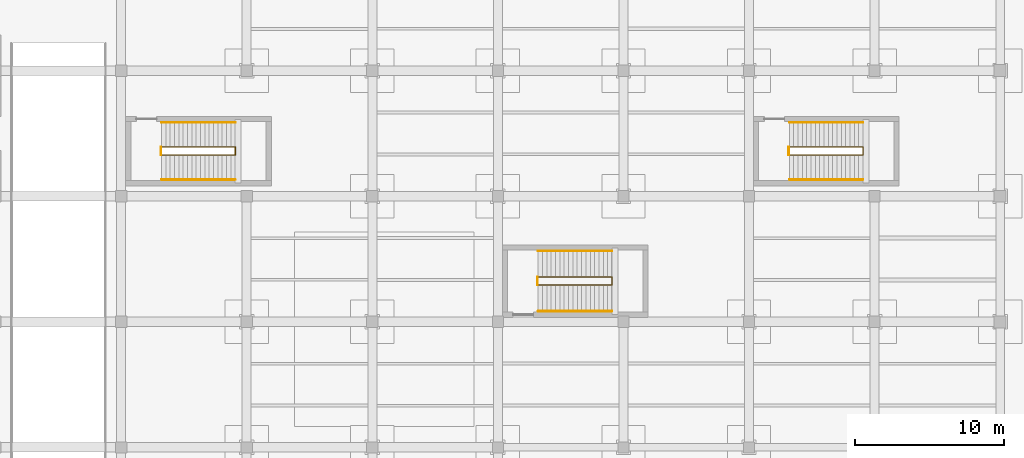
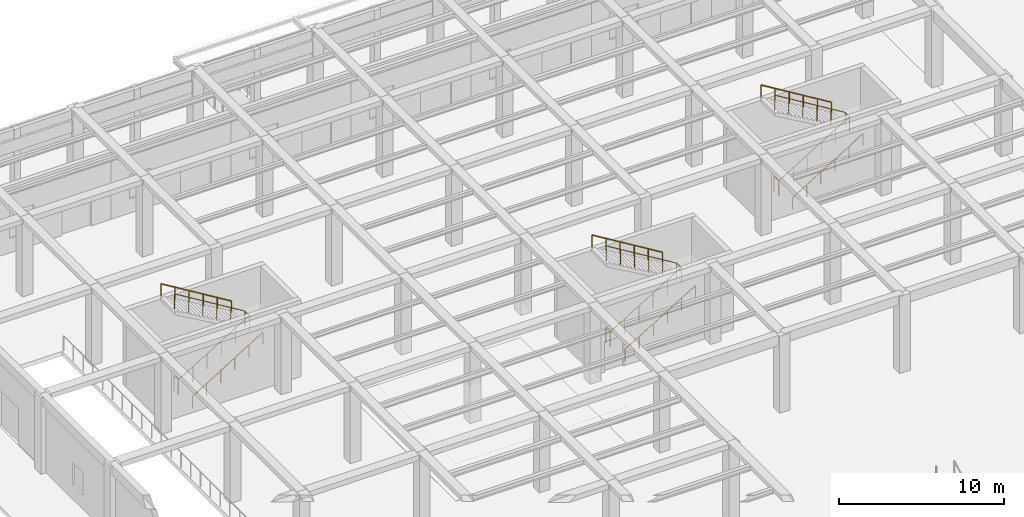
# One storey, part 37 of 43: 12 railings.
"""IFC4 building model written with IfcOpenShell, lengths in metres."""

from ifc_helpers import new_model, si_unit, direction, frame, origin, origin_2d, place, context, subcontext, project, spatial, circle, extrude, material, type_object, element, save


model = new_model("IFC4")

# Units and contexts
model_context = context("Model", 3, precision=1e-05, world=origin(), true_north=direction((0.0, 1.0)))
body_context = subcontext(model_context, "Body", "Model", "MODEL_VIEW")
ifc_project = project(units=[si_unit("LENGTHUNIT", "METRE"), si_unit("AREAUNIT", "SQUARE_METRE"), si_unit("VOLUMEUNIT", "CUBIC_METRE"), si_unit("PLANEANGLEUNIT", "RADIAN"), si_unit("MASSUNIT", "GRAM", prefix="KILO")], contexts=[model_context])

# Site, building, storey
site_placement = place(None, origin())
site = spatial("IfcSite", under=ifc_project, at=site_placement, CompositionType="ELEMENT")
building_placement = place(site_placement, origin())
building = spatial("IfcBuilding", under=site, at=building_placement, Name="Almacenes y Pasaje Nevantli", CompositionType="ELEMENT")
storey_placement = place(building_placement, origin())
storey = spatial("IfcBuildingStorey", under=building, at=storey_placement, Name="L01", CompositionType="ELEMENT", Elevation=0.0)

# Railings
ifc_material_1 = material(Name="Brushed Stainless Steel and Tempered Safety Glass", Category="steel")
railing_type_1 = type_object("IfcRailingType", Name="RL-GUARD-1100", PredefinedType="BALUSTRADE", material=ifc_material_1)
railing_1_placement = place(storey_placement, frame((11.10009765625, 95.159912109375, 0.0)))
element("IfcRailing", 1, at=railing_1_placement, inside=storey, type_object=railing_type_1, Name="L01 Stair ST-03 Inner Well Guard Balustrade", PredefinedType="BALUSTRADE", context=body_context, shape_type="SweptSolid", body=[
    extrude(circle(Radius=0.02392578125, at=origin_2d()), frame((0.025634765625, 0.0, 1.141357421875), z_axis=(0.854262269089, 0.0, 0.519842260316), x_axis=(0.0, 1.0, 0.0)), (0.0, 0.0, 1.0), 5.7109375),
    extrude(circle(Radius=0.02392578125, at=origin_2d()), frame((4.929931640625, 0.030029296875, 4.1259765625), z_axis=(0.0, 1.0, 0.0), x_axis=(-1.0, 0.0, 0.0)), (0.0, 0.0, 1.0), 0.469970703125),
    extrude(circle(Radius=0.02392578125, at=origin_2d()), frame((4.904296875, 0.530029296875, 4.141357421875), z_axis=(-0.854262269089, 0.0, 0.519842260316), x_axis=(0.0, -1.0, 0.0)), (0.0, 0.0, 1.0), 5.7109375),
    extrude(circle(Radius=0.02099609375, at=origin_2d()), origin(), (0.0, 0.0, 1.0), 1.096923828125),
    extrude(circle(Radius=0.02099609375, at=origin_2d()), frame((0.986083984375, 0.0, 0.60009765625)), (0.0, 0.0, 1.0), 1.096923828125),
    extrude(circle(Radius=0.02099609375, at=origin_2d()), frame((1.971923828125, 0.0, 1.199951171875)), (0.0, 0.0, 1.0), 1.096923828125),
    extrude(circle(Radius=0.02099609375, at=origin_2d()), frame((2.9580078125, 0.0, 1.800048828125)), (0.0, 0.0, 1.0), 1.096923828125),
    extrude(circle(Radius=0.02099609375, at=origin_2d()), frame((3.94384765625, 0.0, 2.39990234375)), (0.0, 0.0, 1.0), 1.096923828125),
    extrude(circle(Radius=0.02099609375, at=origin_2d()), frame((4.929931640625, 0.0, 3.0)), (0.0, 0.0, 1.0), 1.096923828125),
    extrude(circle(Radius=0.02099609375, at=origin_2d()), frame((4.929931640625, 0.530029296875, 3.0)), (0.0, 0.0, 1.0), 1.096923828125),
    extrude(circle(Radius=0.02099609375, at=origin_2d()), frame((3.94384765625, 0.530029296875, 3.60009765625)), (0.0, 0.0, 1.0), 1.096923828125),
    extrude(circle(Radius=0.02099609375, at=origin_2d()), frame((2.9580078125, 0.530029296875, 4.199951171875)), (0.0, 0.0, 1.0), 1.096923828125),
    extrude(circle(Radius=0.02099609375, at=origin_2d()), frame((1.971923828125, 0.530029296875, 4.800048828125)), (0.0, 0.0, 1.0), 1.096923828125),
    extrude(circle(Radius=0.02099609375, at=origin_2d()), frame((0.986083984375, 0.530029296875, 5.39990234375)), (0.0, 0.0, 1.0), 1.096923828125),
    extrude(circle(Radius=0.02099609375, at=origin_2d()), frame((0.0, 0.530029296875, 6.0)), (0.0, 0.0, 1.0), 1.096923828125),
])
railing_2_placement = place(storey_placement, frame((11.06005859375, 95.159912109375, 0.0)))
element("IfcRailing", 2, at=railing_2_placement, inside=storey, type_object=railing_type_1, Name="L01 Stair ST-03 Landing Well Slot Guard", PredefinedType="BALUSTRADE", context=body_context, shape_type="SweptSolid", body=[
    extrude(circle(Radius=0.02392578125, at=origin_2d()), frame((0.0, 0.030029296875, 1.1259765625), z_axis=(0.0, 1.0, 0.0), x_axis=(-1.0, 0.0, 0.0)), (0.0, 0.0, 1.0), 0.469970703125),
    extrude(circle(Radius=0.02099609375, at=origin_2d()), origin(), (0.0, 0.0, 1.0), 1.096923828125),
    extrude(circle(Radius=0.02099609375, at=origin_2d()), frame((0.0, 0.530029296875, 0.0)), (0.0, 0.0, 1.0), 1.096923828125),
])
railing_3_placement = place(storey_placement, frame((53.10009765625, 95.159912109375, 0.0)))
element("IfcRailing", 3, at=railing_3_placement, inside=storey, type_object=railing_type_1, Name="L01 Stair ST-05 Inner Well Guard Balustrade", PredefinedType="BALUSTRADE", context=body_context, shape_type="SweptSolid", body=[
    extrude(circle(Radius=0.02392578125, at=origin_2d()), frame((0.025634765625, 0.0, 1.141357421875), z_axis=(0.854262269089, 0.0, 0.519842260316), x_axis=(0.0, 1.0, 0.0)), (0.0, 0.0, 1.0), 5.7109375),
    extrude(circle(Radius=0.02392578125, at=origin_2d()), frame((4.929931640625, 0.030029296875, 4.1259765625), z_axis=(0.0, 1.0, 0.0), x_axis=(-1.0, 0.0, 0.0)), (0.0, 0.0, 1.0), 0.469970703125),
    extrude(circle(Radius=0.02392578125, at=origin_2d()), frame((4.904296875, 0.530029296875, 4.141357421875), z_axis=(-0.854262269089, 0.0, 0.519842260316), x_axis=(0.0, -1.0, 0.0)), (0.0, 0.0, 1.0), 5.7109375),
    extrude(circle(Radius=0.02099609375, at=origin_2d()), origin(), (0.0, 0.0, 1.0), 1.096923828125),
    extrude(circle(Radius=0.02099609375, at=origin_2d()), frame((0.986083984375, 0.0, 0.60009765625)), (0.0, 0.0, 1.0), 1.096923828125),
    extrude(circle(Radius=0.02099609375, at=origin_2d()), frame((1.971923828125, 0.0, 1.199951171875)), (0.0, 0.0, 1.0), 1.096923828125),
    extrude(circle(Radius=0.02099609375, at=origin_2d()), frame((2.9580078125, 0.0, 1.800048828125)), (0.0, 0.0, 1.0), 1.096923828125),
    extrude(circle(Radius=0.02099609375, at=origin_2d()), frame((3.94384765625, 0.0, 2.39990234375)), (0.0, 0.0, 1.0), 1.096923828125),
    extrude(circle(Radius=0.02099609375, at=origin_2d()), frame((4.929931640625, 0.0, 3.0)), (0.0, 0.0, 1.0), 1.096923828125),
    extrude(circle(Radius=0.02099609375, at=origin_2d()), frame((4.929931640625, 0.530029296875, 3.0)), (0.0, 0.0, 1.0), 1.096923828125),
    extrude(circle(Radius=0.02099609375, at=origin_2d()), frame((3.94384765625, 0.530029296875, 3.60009765625)), (0.0, 0.0, 1.0), 1.096923828125),
    extrude(circle(Radius=0.02099609375, at=origin_2d()), frame((2.9580078125, 0.530029296875, 4.199951171875)), (0.0, 0.0, 1.0), 1.096923828125),
    extrude(circle(Radius=0.02099609375, at=origin_2d()), frame((1.971923828125, 0.530029296875, 4.800048828125)), (0.0, 0.0, 1.0), 1.096923828125),
    extrude(circle(Radius=0.02099609375, at=origin_2d()), frame((0.986083984375, 0.530029296875, 5.39990234375)), (0.0, 0.0, 1.0), 1.096923828125),
    extrude(circle(Radius=0.02099609375, at=origin_2d()), frame((0.0, 0.530029296875, 6.0)), (0.0, 0.0, 1.0), 1.096923828125),
])
railing_4_placement = place(storey_placement, frame((53.06005859375, 95.159912109375, 0.0)))
element("IfcRailing", 4, at=railing_4_placement, inside=storey, type_object=railing_type_1, Name="L01 Stair ST-05 Landing Well Slot Guard", PredefinedType="BALUSTRADE", context=body_context, shape_type="SweptSolid", body=[
    extrude(circle(Radius=0.02392578125, at=origin_2d()), frame((0.0, 0.030029296875, 1.1259765625), z_axis=(0.0, 1.0, 0.0), x_axis=(-1.0, 0.0, 0.0)), (0.0, 0.0, 1.0), 0.469970703125),
    extrude(circle(Radius=0.02099609375, at=origin_2d()), origin(), (0.0, 0.0, 1.0), 1.096923828125),
    extrude(circle(Radius=0.02099609375, at=origin_2d()), frame((0.0, 0.530029296875, 0.0)), (0.0, 0.0, 1.0), 1.096923828125),
])
railing_5_placement = place(storey_placement, frame((36.300048828125, 86.4599609375, 0.0)))
element("IfcRailing", 5, at=railing_5_placement, inside=storey, type_object=railing_type_1, Name="L01 Stair ST-15 Inner Well Guard Balustrade", PredefinedType="BALUSTRADE", context=body_context, shape_type="SweptSolid", body=[
    extrude(circle(Radius=0.02392578125, at=origin_2d()), frame((0.025634765625, 0.0, 1.141357421875), z_axis=(0.854262269089, 0.0, 0.519842260316), x_axis=(0.0, 1.0, 0.0)), (0.0, 0.0, 1.0), 5.7109375),
    extrude(circle(Radius=0.02392578125, at=origin_2d()), frame((4.929931640625, 0.030029296875, 4.1259765625), z_axis=(0.0, 1.0, 0.0), x_axis=(-1.0, 0.0, 0.0)), (0.0, 0.0, 1.0), 0.469970703125),
    extrude(circle(Radius=0.02392578125, at=origin_2d()), frame((4.904296875, 0.530029296875, 4.141357421875), z_axis=(-0.854262269089, 0.0, 0.519842260316), x_axis=(0.0, -1.0, 0.0)), (0.0, 0.0, 1.0), 5.7109375),
    extrude(circle(Radius=0.02099609375, at=origin_2d()), origin(), (0.0, 0.0, 1.0), 1.096923828125),
    extrude(circle(Radius=0.02099609375, at=origin_2d()), frame((0.986083984375, 0.0, 0.60009765625)), (0.0, 0.0, 1.0), 1.096923828125),
    extrude(circle(Radius=0.02099609375, at=origin_2d()), frame((1.971923828125, 0.0, 1.199951171875)), (0.0, 0.0, 1.0), 1.096923828125),
    extrude(circle(Radius=0.02099609375, at=origin_2d()), frame((2.9580078125, 0.0, 1.800048828125)), (0.0, 0.0, 1.0), 1.096923828125),
    extrude(circle(Radius=0.02099609375, at=origin_2d()), frame((3.94384765625, 0.0, 2.39990234375)), (0.0, 0.0, 1.0), 1.096923828125),
    extrude(circle(Radius=0.02099609375, at=origin_2d()), frame((4.929931640625, 0.0, 3.0)), (0.0, 0.0, 1.0), 1.096923828125),
    extrude(circle(Radius=0.02099609375, at=origin_2d()), frame((4.929931640625, 0.530029296875, 3.0)), (0.0, 0.0, 1.0), 1.096923828125),
    extrude(circle(Radius=0.02099609375, at=origin_2d()), frame((3.94384765625, 0.530029296875, 3.60009765625)), (0.0, 0.0, 1.0), 1.096923828125),
    extrude(circle(Radius=0.02099609375, at=origin_2d()), frame((2.9580078125, 0.530029296875, 4.199951171875)), (0.0, 0.0, 1.0), 1.096923828125),
    extrude(circle(Radius=0.02099609375, at=origin_2d()), frame((1.971923828125, 0.530029296875, 4.800048828125)), (0.0, 0.0, 1.0), 1.096923828125),
    extrude(circle(Radius=0.02099609375, at=origin_2d()), frame((0.986083984375, 0.530029296875, 5.39990234375)), (0.0, 0.0, 1.0), 1.096923828125),
    extrude(circle(Radius=0.02099609375, at=origin_2d()), frame((0.0, 0.530029296875, 6.0)), (0.0, 0.0, 1.0), 1.096923828125),
])
railing_6_placement = place(storey_placement, frame((36.260009765625, 86.4599609375, 0.0)))
element("IfcRailing", 6, at=railing_6_placement, inside=storey, type_object=railing_type_1, Name="L01 Stair ST-15 Landing Well Slot Guard", PredefinedType="BALUSTRADE", context=body_context, shape_type="SweptSolid", body=[
    extrude(circle(Radius=0.02392578125, at=origin_2d()), frame((0.0, 0.030029296875, 1.1259765625), z_axis=(0.0, 1.0, 0.0), x_axis=(-1.0, 0.0, 0.0)), (0.0, 0.0, 1.0), 0.469970703125),
    extrude(circle(Radius=0.02099609375, at=origin_2d()), origin(), (0.0, 0.0, 1.0), 1.096923828125),
    extrude(circle(Radius=0.02099609375, at=origin_2d()), frame((0.0, 0.530029296875, 0.0)), (0.0, 0.0, 1.0), 1.096923828125),
])
ifc_material_2 = material(Name="Brushed Stainless Steel Tube", Category="steel")
railing_type_2 = type_object("IfcRailingType", Name="RL-HANDRAIL-900", PredefinedType="HANDRAIL", material=ifc_material_2)
railing_7_placement = place(storey_placement, frame((11.10009765625, 93.510009765625, 0.0)))
element("IfcRailing", 7, at=railing_7_placement, inside=storey, type_object=railing_type_2, Name="L01 Stair ST-03 Lower Flight Handrail", PredefinedType="HANDRAIL", context=body_context, shape_type="SweptSolid", body=[
    extrude(circle(Radius=0.02392578125, at=origin_2d()), frame((0.025634765625, 0.0, 0.891357421875), z_axis=(0.854262269089, 0.0, 0.519842260316), x_axis=(0.0, 1.0, 0.0)), (0.0, 0.0, 1.0), 5.7109375),
    extrude(circle(Radius=0.02099609375, at=origin_2d()), origin(), (0.0, 0.0, 1.0), 0.846923828125),
    extrude(circle(Radius=0.02099609375, at=origin_2d()), frame((0.986083984375, 0.0, 0.60009765625)), (0.0, 0.0, 1.0), 0.846923828125),
    extrude(circle(Radius=0.02099609375, at=origin_2d()), frame((1.971923828125, 0.0, 1.199951171875)), (0.0, 0.0, 1.0), 0.846923828125),
    extrude(circle(Radius=0.02099609375, at=origin_2d()), frame((2.9580078125, 0.0, 1.800048828125)), (0.0, 0.0, 1.0), 0.846923828125),
    extrude(circle(Radius=0.02099609375, at=origin_2d()), frame((3.94384765625, 0.0, 2.39990234375)), (0.0, 0.0, 1.0), 0.846923828125),
    extrude(circle(Radius=0.02099609375, at=origin_2d()), frame((4.929931640625, 0.0, 3.0)), (0.0, 0.0, 1.0), 0.846923828125),
])
railing_8_placement = place(storey_placement, frame((16.030029296875, 97.340087890625, 3.0)))
element("IfcRailing", 8, at=railing_8_placement, inside=storey, type_object=railing_type_2, Name="L01 Stair ST-03 Upper Flight Handrail", PredefinedType="HANDRAIL", context=body_context, shape_type="SweptSolid", body=[
    extrude(circle(Radius=0.02392578125, at=origin_2d()), frame((-0.025634765625, 0.0, 0.891357421875), z_axis=(-0.854262269089, 0.0, 0.519842260316), x_axis=(0.0, -1.0, 0.0)), (0.0, 0.0, 1.0), 5.7109375),
    extrude(circle(Radius=0.02099609375, at=origin_2d()), origin(), (0.0, 0.0, 1.0), 0.846923828125),
    extrude(circle(Radius=0.02099609375, at=origin_2d()), frame((-0.986083984375, 0.0, 0.60009765625)), (0.0, 0.0, 1.0), 0.846923828125),
    extrude(circle(Radius=0.02099609375, at=origin_2d()), frame((-1.971923828125, 0.0, 1.199951171875)), (0.0, 0.0, 1.0), 0.846923828125),
    extrude(circle(Radius=0.02099609375, at=origin_2d()), frame((-2.9580078125, 0.0, 1.800048828125)), (0.0, 0.0, 1.0), 0.846923828125),
    extrude(circle(Radius=0.02099609375, at=origin_2d()), frame((-3.94384765625, 0.0, 2.39990234375)), (0.0, 0.0, 1.0), 0.846923828125),
    extrude(circle(Radius=0.02099609375, at=origin_2d()), frame((-4.929931640625, 0.0, 3.0)), (0.0, 0.0, 1.0), 0.846923828125),
])
railing_9_placement = place(storey_placement, frame((53.10009765625, 93.510009765625, 0.0)))
element("IfcRailing", 9, at=railing_9_placement, inside=storey, type_object=railing_type_2, Name="L01 Stair ST-05 Lower Flight Handrail", PredefinedType="HANDRAIL", context=body_context, shape_type="SweptSolid", body=[
    extrude(circle(Radius=0.02392578125, at=origin_2d()), frame((0.025634765625, 0.0, 0.891357421875), z_axis=(0.854262269089, 0.0, 0.519842260316), x_axis=(0.0, 1.0, 0.0)), (0.0, 0.0, 1.0), 5.7109375),
    extrude(circle(Radius=0.02099609375, at=origin_2d()), origin(), (0.0, 0.0, 1.0), 0.846923828125),
    extrude(circle(Radius=0.02099609375, at=origin_2d()), frame((0.986083984375, 0.0, 0.60009765625)), (0.0, 0.0, 1.0), 0.846923828125),
    extrude(circle(Radius=0.02099609375, at=origin_2d()), frame((1.971923828125, 0.0, 1.199951171875)), (0.0, 0.0, 1.0), 0.846923828125),
    extrude(circle(Radius=0.02099609375, at=origin_2d()), frame((2.9580078125, 0.0, 1.800048828125)), (0.0, 0.0, 1.0), 0.846923828125),
    extrude(circle(Radius=0.02099609375, at=origin_2d()), frame((3.94384765625, 0.0, 2.39990234375)), (0.0, 0.0, 1.0), 0.846923828125),
    extrude(circle(Radius=0.02099609375, at=origin_2d()), frame((4.929931640625, 0.0, 3.0)), (0.0, 0.0, 1.0), 0.846923828125),
])
railing_10_placement = place(storey_placement, frame((58.030029296875, 97.340087890625, 3.0)))
element("IfcRailing", 10, at=railing_10_placement, inside=storey, type_object=railing_type_2, Name="L01 Stair ST-05 Upper Flight Handrail", PredefinedType="HANDRAIL", context=body_context, shape_type="SweptSolid", body=[
    extrude(circle(Radius=0.02392578125, at=origin_2d()), frame((-0.025634765625, 0.0, 0.891357421875), z_axis=(-0.854262269089, 0.0, 0.519842260316), x_axis=(0.0, -1.0, 0.0)), (0.0, 0.0, 1.0), 5.7109375),
    extrude(circle(Radius=0.02099609375, at=origin_2d()), origin(), (0.0, 0.0, 1.0), 0.846923828125),
    extrude(circle(Radius=0.02099609375, at=origin_2d()), frame((-0.986083984375, 0.0, 0.60009765625)), (0.0, 0.0, 1.0), 0.846923828125),
    extrude(circle(Radius=0.02099609375, at=origin_2d()), frame((-1.971923828125, 0.0, 1.199951171875)), (0.0, 0.0, 1.0), 0.846923828125),
    extrude(circle(Radius=0.02099609375, at=origin_2d()), frame((-2.9580078125, 0.0, 1.800048828125)), (0.0, 0.0, 1.0), 0.846923828125),
    extrude(circle(Radius=0.02099609375, at=origin_2d()), frame((-3.94384765625, 0.0, 2.39990234375)), (0.0, 0.0, 1.0), 0.846923828125),
    extrude(circle(Radius=0.02099609375, at=origin_2d()), frame((-4.929931640625, 0.0, 3.0)), (0.0, 0.0, 1.0), 0.846923828125),
])
railing_11_placement = place(storey_placement, frame((36.300048828125, 84.7099609375, 0.0)))
element("IfcRailing", 11, at=railing_11_placement, inside=storey, type_object=railing_type_2, Name="L01 Stair ST-15 Lower Flight Handrail", PredefinedType="HANDRAIL", context=body_context, shape_type="SweptSolid", body=[
    extrude(circle(Radius=0.02392578125, at=origin_2d()), frame((0.025634765625, 0.0, 0.891357421875), z_axis=(0.854262269089, 0.0, 0.519842260316), x_axis=(0.0, 1.0, 0.0)), (0.0, 0.0, 1.0), 5.7109375),
    extrude(circle(Radius=0.02099609375, at=origin_2d()), origin(), (0.0, 0.0, 1.0), 0.846923828125),
    extrude(circle(Radius=0.02099609375, at=origin_2d()), frame((0.986083984375, 0.0, 0.60009765625)), (0.0, 0.0, 1.0), 0.846923828125),
    extrude(circle(Radius=0.02099609375, at=origin_2d()), frame((1.971923828125, 0.0, 1.199951171875)), (0.0, 0.0, 1.0), 0.846923828125),
    extrude(circle(Radius=0.02099609375, at=origin_2d()), frame((2.9580078125, 0.0, 1.800048828125)), (0.0, 0.0, 1.0), 0.846923828125),
    extrude(circle(Radius=0.02099609375, at=origin_2d()), frame((3.94384765625, 0.0, 2.39990234375)), (0.0, 0.0, 1.0), 0.846923828125),
    extrude(circle(Radius=0.02099609375, at=origin_2d()), frame((4.929931640625, 0.0, 3.0)), (0.0, 0.0, 1.0), 0.846923828125),
])
railing_12_placement = place(storey_placement, frame((41.22998046875, 88.739990234375, 3.0)))
element("IfcRailing", 12, at=railing_12_placement, inside=storey, type_object=railing_type_2, Name="L01 Stair ST-15 Upper Flight Handrail", PredefinedType="HANDRAIL", context=body_context, shape_type="SweptSolid", body=[
    extrude(circle(Radius=0.02392578125, at=origin_2d()), frame((-0.025634765625, 0.0, 0.891357421875), z_axis=(-0.854262269089, 0.0, 0.519842260316), x_axis=(0.0, -1.0, 0.0)), (0.0, 0.0, 1.0), 5.7109375),
    extrude(circle(Radius=0.02099609375, at=origin_2d()), origin(), (0.0, 0.0, 1.0), 0.846923828125),
    extrude(circle(Radius=0.02099609375, at=origin_2d()), frame((-0.986083984375, 0.0, 0.60009765625)), (0.0, 0.0, 1.0), 0.846923828125),
    extrude(circle(Radius=0.02099609375, at=origin_2d()), frame((-1.971923828125, 0.0, 1.199951171875)), (0.0, 0.0, 1.0), 0.846923828125),
    extrude(circle(Radius=0.02099609375, at=origin_2d()), frame((-2.9580078125, 0.0, 1.800048828125)), (0.0, 0.0, 1.0), 0.846923828125),
    extrude(circle(Radius=0.02099609375, at=origin_2d()), frame((-3.94384765625, 0.0, 2.39990234375)), (0.0, 0.0, 1.0), 0.846923828125),
    extrude(circle(Radius=0.02099609375, at=origin_2d()), frame((-4.929931640625, 0.0, 3.0)), (0.0, 0.0, 1.0), 0.846923828125),
])

save(model, "model.ifc")
